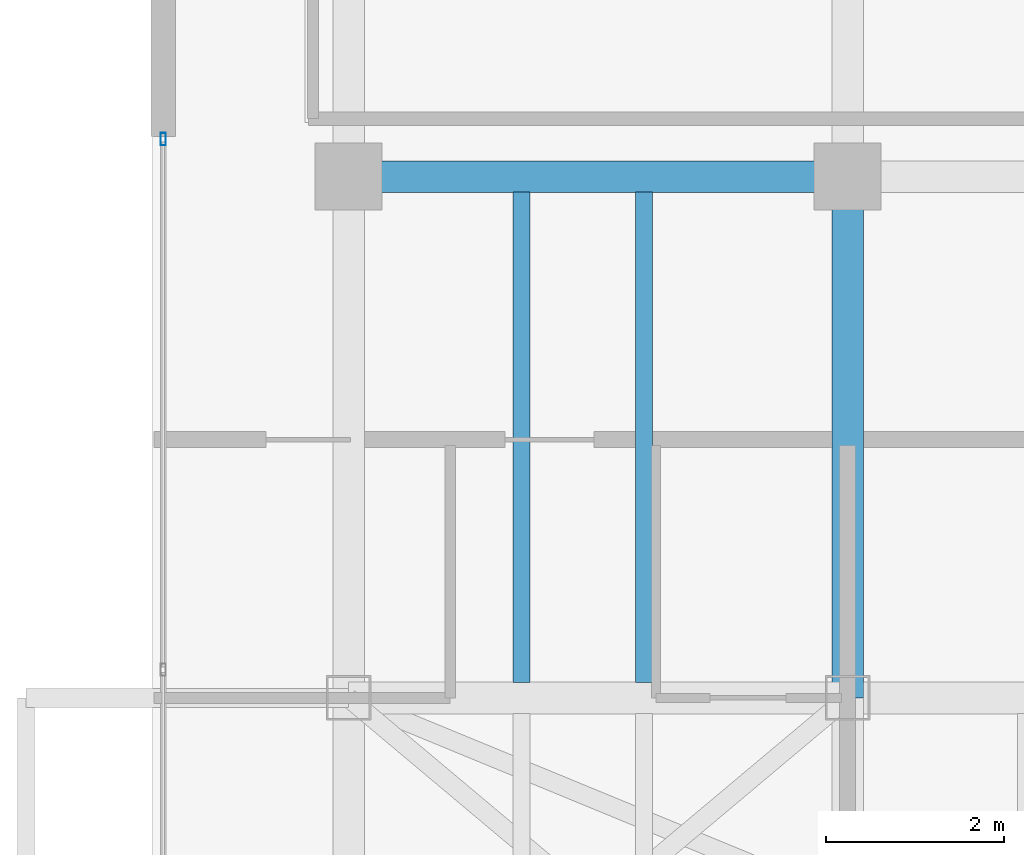
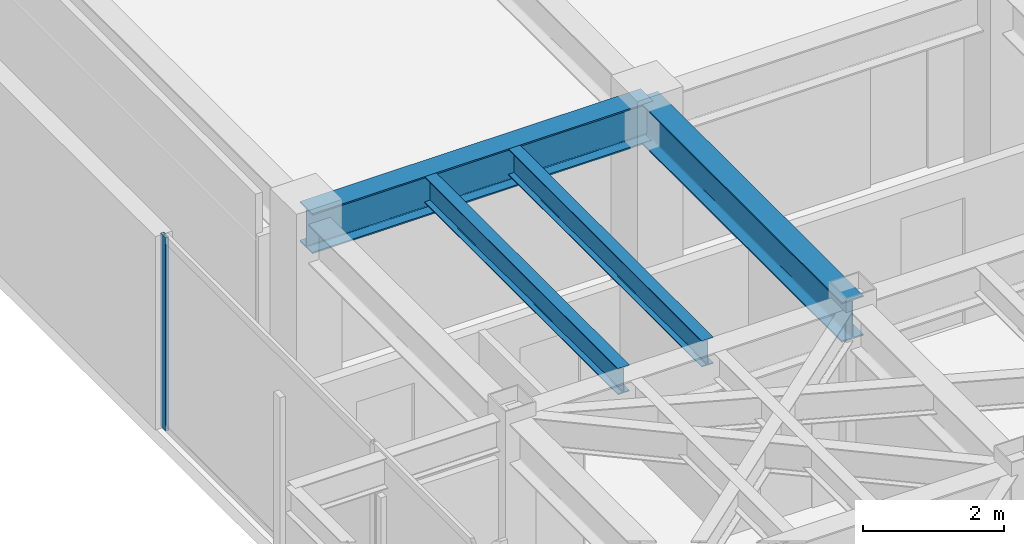
# One storey, part 10 of 20: 4 beams, 1 member, 1 element without a shape of its own.
"""IFC4 building model written with IfcOpenShell, lengths in metres."""

from ifc_helpers import new_model, si_unit, direction, frame, origin, origin_2d, place, context, subcontext, project, spatial, hollow_rectangle, i_section, extrude, material, layer, layer_set, material_profile, profile_set, type_object, element, aggregate, save


model = new_model("IFC4")

# Units and contexts
model_context = context("Model", 3, precision=1e-05, world=origin(), true_north=direction((0.0, 1.0)))
body_context = subcontext(model_context, "Body", "Model", "MODEL_VIEW")
ifc_project = project(units=[si_unit("LENGTHUNIT", "METRE"), si_unit("AREAUNIT", "SQUARE_METRE"), si_unit("VOLUMEUNIT", "CUBIC_METRE"), si_unit("PLANEANGLEUNIT", "RADIAN"), si_unit("MASSUNIT", "GRAM", prefix="KILO")], contexts=[model_context])

# Site, building, storey
site_placement = place(None, origin())
site = spatial("IfcSite", under=ifc_project, at=site_placement, CompositionType="ELEMENT")
building_placement = place(site_placement, origin())
building = spatial("IfcBuilding", under=site, at=building_placement, Name="Kravanh Interchange Tower", CompositionType="ELEMENT")
storey_placement = place(building_placement, frame((0.0, 0.0, 252.60009765625)))
storey = spatial("IfcBuildingStorey", under=building, at=storey_placement, Name="L61", CompositionType="ELEMENT", Elevation=252.60009765625)

# Curtain wall, member
ifc_material_1 = material(Name="Anodised Bronze Aluminium", Category="aluminium")
ifc_layer = layer(ifc_material_1, 0.179931640625)
ifc_layer_set = layer_set([ifc_layer], Name="Unitised Curtain Wall System CW-HTL Luxury Hotel")
curtain_wall_type = type_object("IfcCurtainWallType", Name="Unitised Curtain Wall System CW-HTL Luxury Hotel", PredefinedType="NOTDEFINED", material=ifc_layer_set)
curtain_wall_placement = place(storey_placement, origin())
curtain_wall = element("IfcCurtainWall", 1, at=curtain_wall_placement, inside=storey, type_object=curtain_wall_type, Name="L61 Unitised Curtain Wall CW-L61-01", PredefinedType="NOTDEFINED")
ifc_material_2 = material(Name="Anodised Bronze Aluminium", Category="aluminium")
ifc_material_profile_1 = material_profile(ifc_material_2, hollow_rectangle(XDim=0.06005859375, YDim=0.139892578125, WallThickness=0.00390625, at=origin_2d()), Name="ALU60X140X4")
ifc_profile_set_1 = profile_set([ifc_material_profile_1], Name="Anodised Bronze Aluminium")
member_type = type_object("IfcMemberType", Name="Curtain Wall Mullion ALU60X140X4 Bronze", PredefinedType="MULLION", material=ifc_profile_set_1)
member_placement = place(storey_placement, frame((25.1201171875, 37.77001953125, 0.0), z_axis=(0.0, 0.0, 1.0), x_axis=(-1.0, 0.0, 0.0)))
member = element("IfcMember", 2, at=member_placement, type_object=member_type, Name="CW-HTL mullion 4", PredefinedType="MULLION", context=body_context, shape_type="SweptSolid", body=[
    extrude(hollow_rectangle(XDim=0.06005859375, YDim=0.139892578125, WallThickness=0.00390625, at=origin_2d()), origin(), (0.0, 0.0, 1.0), 3.35986328125),
])
aggregate(curtain_wall, [member])

# Beams
ifc_material_3 = material(Name="Structural Steel S355", Category="steel")
ifc_material_profile_2 = material_profile(ifc_material_3, i_section(OverallWidth=0.35498046875, OverallDepth=0.696044921875, WebThickness=0.015380859375, FlangeThickness=0.02490234375, FilletRadius=0.02392578125, at=origin_2d()), Name="W27X146")
ifc_profile_set_2 = profile_set([ifc_material_profile_2], Name="Structural Steel S355")
beam_type_1 = type_object("IfcBeamType", Name="Floor Beam W27X146 Structural Steel S355", PredefinedType="BEAM", material=ifc_profile_set_2)
beam_1_placement = place(storey_placement, frame((32.800048828125, 31.5, 3.011962890625), z_axis=(0.0, 1.0, 0.0), x_axis=(-1.0, 0.0, 0.0)))
element("IfcBeam", 3, at=beam_1_placement, inside=storey, type_object=beam_type_1, Name="L61 Primary Floor Girder 23", PredefinedType="BEAM", context=body_context, shape_type="SweptSolid", body=[
    extrude(i_section(OverallWidth=0.35498046875, OverallDepth=0.696044921875, WebThickness=0.015380859375, FlangeThickness=0.02490234375, FilletRadius=0.02392578125, at=origin_2d()), origin(), (0.0, 0.0, 1.0), 5.85009765625),
])
beam_2_placement = place(storey_placement, frame((32.800048828125, 37.35009765625, 3.011962890625), z_axis=(-1.0, 0.0, 0.0), x_axis=(0.0, -1.0, 0.0)))
element("IfcBeam", 4, at=beam_2_placement, inside=storey, type_object=beam_type_1, Name="L61 Primary Floor Girder 58", PredefinedType="BEAM", context=body_context, shape_type="SweptSolid", body=[
    extrude(i_section(OverallWidth=0.35498046875, OverallDepth=0.696044921875, WebThickness=0.015380859375, FlangeThickness=0.02490234375, FilletRadius=0.02392578125, at=origin_2d()), origin(), (0.0, 0.0, 1.0), 5.60009765625),
])
ifc_material_4 = material(Name="Structural Steel S355", Category="steel")
ifc_material_profile_3 = material_profile(ifc_material_4, i_section(OverallWidth=0.18994140625, OverallDepth=0.45703125, WebThickness=0.009033203125, FlangeThickness=0.014404296875, FilletRadius=0.01806640625, at=origin_2d()), Name="W18X50")
ifc_profile_set_3 = profile_set([ifc_material_profile_3], Name="Structural Steel S355")
beam_type_2 = type_object("IfcBeamType", Name="Floor Joist W18X50 Structural Steel S355", PredefinedType="JOIST", material=ifc_profile_set_3)
for number, where, z_axis, x_axis, name in (
    (5, (29.139892578125, 31.672607421875, 3.13134765625), (0.0, 1.0, 0.0), (-1.0, 0.0, 0.0), "L61 Secondary Floor Joist 11"),
    (6, (30.51611328125, 31.672607421875, 3.13134765625), (0.0, 1.0, 0.0), (-1.0, 0.0, 0.0), "L61 Secondary Floor Joist 12"),
):
    element("IfcBeam", number, at=place(storey_placement, frame(where, z_axis=z_axis, x_axis=x_axis)), inside=storey, type_object=beam_type_2, Name=name, PredefinedType="JOIST", context=body_context, shape_type="SweptSolid", body=[
        extrude(i_section(OverallWidth=0.18994140625, OverallDepth=0.45703125, WebThickness=0.009033203125, FlangeThickness=0.014404296875, FilletRadius=0.01806640625, at=origin_2d()), origin(), (0.0, 0.0, 1.0), 5.5048828125),
    ])

save(model, "model.ifc")
